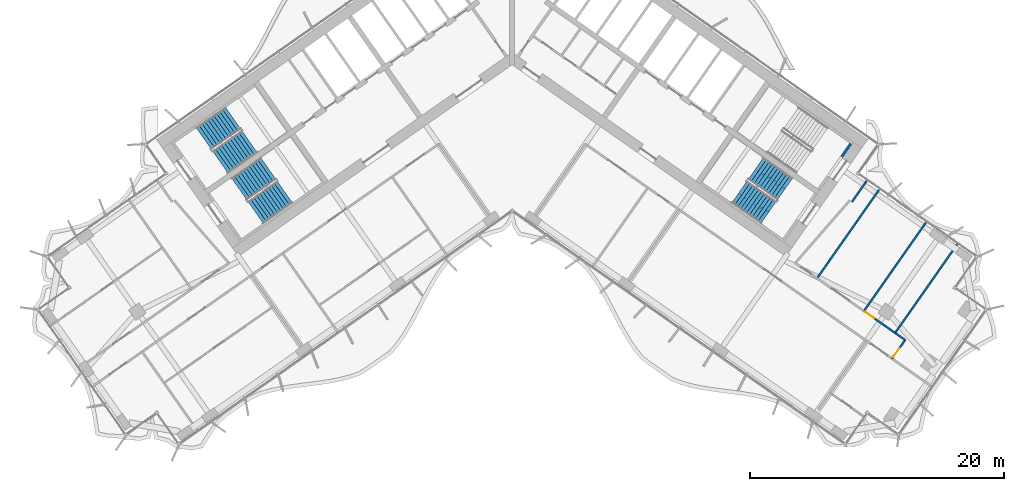
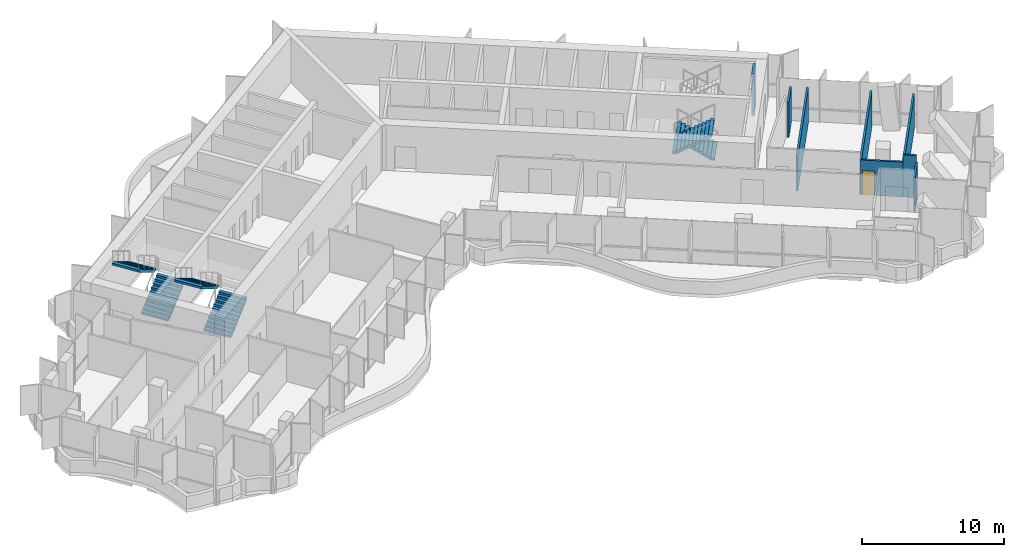
# One storey, part 17 of 23: 8 walls, 6 stair flights, 2 doors, 2 openings, 3 elements without a shape of their own.
"""IFC4 building model written with IfcOpenShell, lengths in metres."""

from ifc_helpers import new_model, si_unit, direction, frame, frame_2d, origin, place, context, subcontext, project, spatial, polyline, rectangle, outline, extrude, material, layer, layer_set, type_object, element, fill, aggregate, save


model = new_model("IFC4")

# Units and contexts
model_context = context("Model", 3, precision=1e-05, world=origin(), true_north=direction((0.0, 1.0)))
body_context = subcontext(model_context, "Body", "Model", "MODEL_VIEW")
ifc_project = project(units=[si_unit("LENGTHUNIT", "METRE"), si_unit("AREAUNIT", "SQUARE_METRE"), si_unit("VOLUMEUNIT", "CUBIC_METRE"), si_unit("PLANEANGLEUNIT", "RADIAN"), si_unit("MASSUNIT", "GRAM", prefix="KILO")], contexts=[model_context])

# Site, building, storey
site_placement = place(None, origin())
site = spatial("IfcSite", under=ifc_project, at=site_placement, CompositionType="ELEMENT")
building_placement = place(site_placement, origin())
building = spatial("IfcBuilding", under=site, at=building_placement, Name="Tel Ilan Convention Tower", CompositionType="ELEMENT")
storey_placement = place(building_placement, frame((0.0, 0.0, 186.60009765625)))
storey = spatial("IfcBuildingStorey", under=building, at=storey_placement, Name="L43", CompositionType="ELEMENT", Elevation=186.60009765625)

# Wall, opening, door
ifc_material_1 = material(Name="Plasterboard on Steel Studs", Category="steel")
ifc_layer_1 = layer(ifc_material_1, 0.14990234375)
ifc_layer_set_1 = layer_set([ifc_layer_1], Name="Fire-rated Partition 150 EI 60")
wall_type_1 = type_object("IfcWallType", Name="Fire-rated Partition 150 EI 60", PredefinedType="PARTITIONING", material=ifc_layer_set_1)
wall_1_placement = place(storey_placement, frame((27.685546875, -20.6064453125, 0.0), z_axis=(0.0, 0.0, 1.0), x_axis=(0.81916700466, -0.573555070134, 0.0)))
wall_1 = element("IfcWall", 1, at=wall_1_placement, inside=storey, type_object=wall_type_1, Name="Partition 003", PredefinedType="PARTITIONING", context=body_context, shape_type="SweptSolid", body=[
    extrude(rectangle(XDim=3.00390625, YDim=0.14990234375, at=frame_2d((1.501953125, 0.0))), origin(), (0.0, 0.0, 1.0), 3.0),
])
opening_1_placement = place(wall_1_placement, frame((0.14990234375, 0.0, 0.0)))
opening_1 = element("IfcOpeningElement", 2, at=opening_1_placement, cuts=wall_1, Name="Opening L43-018", PredefinedType="OPENING", context=body_context, shape_type="SweptSolid", body=[
    extrude(rectangle(XDim=0.85009765625, YDim=2.10009765625, at=frame_2d((0.425048828125, 1.050048828125))), frame((0.0, 0.0849609375, 0.0), z_axis=(0.0, -1.0, 0.0), x_axis=(1.0, 0.0, 0.0)), (0.0, 0.0, 1.0), 0.169921875),
])
ifc_material_2 = material(Name="Timber Door Leaf in Steel Frame", Category="steel")
door_type = type_object("IfcDoorType", Name="Room Fire Door 850x2100", OperationType="NOTDEFINED", PredefinedType="DOOR", material=ifc_material_2)
door_1_placement = place(opening_1_placement, origin())
door_1 = element("IfcDoor", 3, at=door_1_placement, inside=storey, type_object=door_type, Name="Door L43-018", OperationType="SINGLE_SWING_RIGHT", OverallHeight=2.10009765625, OverallWidth=0.85009765625, PredefinedType="DOOR", context=body_context, shape_type="SweptSolid", body=[
    extrude(rectangle(XDim=0.85009765625, YDim=2.10009765625, at=frame_2d((0.425048828125, 1.050048828125))), frame((0.0, 0.02490234375, 0.0), z_axis=(0.0, -1.0, 0.0), x_axis=(1.0, 0.0, 0.0)), (0.0, 0.0, 1.0), 0.050048828125),
])
fill(opening_1, door_1)

# Wall
wall_2_placement = place(storey_placement, frame((30.14306640625, -22.3271484375, 0.0), z_axis=(0.0, 0.0, 1.0), x_axis=(0.819089109609, -0.573666305895, 0.0)))
element("IfcWall", 4, at=wall_2_placement, inside=storey, type_object=wall_type_1, Name="Partition 004", PredefinedType="PARTITIONING", context=body_context, shape_type="SweptSolid", body=[
    extrude(rectangle(XDim=0.9638671875, YDim=0.14990234375, at=frame_2d((0.48193359375, 0.0))), origin(), (0.0, 0.0, 1.0), 3.619873046875),
])

# Wall, opening, door
wall_3_placement = place(storey_placement, frame((29.900390625, -24.3544921875, 0.0), z_axis=(0.0, 0.0, 1.0), x_axis=(0.57352607058, 0.819187308474, 0.0)))
wall_3 = element("IfcWall", 5, at=wall_3_placement, inside=storey, type_object=wall_type_1, Name="Partition 005", PredefinedType="PARTITIONING", context=body_context, shape_type="SweptSolid", body=[
    extrude(rectangle(XDim=1.7998046875, YDim=0.14990234375, at=frame_2d((0.89990234375, 0.0))), origin(), (0.0, 0.0, 1.0), 3.0),
])
opening_2_placement = place(wall_3_placement, frame((0.14990234375, 0.0, 0.0)))
opening_2 = element("IfcOpeningElement", 6, at=opening_2_placement, cuts=wall_3, Name="Opening L43-019", PredefinedType="OPENING", context=body_context, shape_type="SweptSolid", body=[
    extrude(rectangle(XDim=0.85009765625, YDim=2.10009765625, at=frame_2d((0.425048828125, 1.050048828125))), frame((0.0, 0.0849609375, 0.0), z_axis=(0.0, -1.0, 0.0), x_axis=(1.0, 0.0, 0.0)), (0.0, 0.0, 1.0), 0.169921875),
])
door_2_placement = place(opening_2_placement, origin())
door_2 = element("IfcDoor", 7, at=door_2_placement, inside=storey, type_object=door_type, Name="Door L43-019", OperationType="SINGLE_SWING_RIGHT", OverallHeight=2.10009765625, OverallWidth=0.85009765625, PredefinedType="DOOR", context=body_context, shape_type="SweptSolid", body=[
    extrude(rectangle(XDim=0.85009765625, YDim=2.10009765625, at=frame_2d((0.425048828125, 1.050048828125))), frame((0.0, 0.02490234375, 0.0), z_axis=(0.0, -1.0, 0.0), x_axis=(1.0, 0.0, 0.0)), (0.0, 0.0, 1.0), 0.050048828125),
])
fill(opening_2, door_2)

# Walls
wall_4_placement = place(storey_placement, frame((28.87646484375, -11.063720703125, 0.0), z_axis=(0.0, 0.0, 1.0), x_axis=(-0.573591492816, -0.819141501433, 0.0)))
element("IfcWall", 8, at=wall_4_placement, inside=storey, type_object=wall_type_1, Name="Partition 017", PredefinedType="PARTITIONING", context=body_context, shape_type="SweptSolid", body=[
    extrude(rectangle(XDim=8.5, YDim=0.14990234375, at=frame_2d((4.25, 0.0))), origin(), (0.0, 0.0, 1.0), 3.0),
])
wall_5_placement = place(storey_placement, frame((26.74609375, -12.013671875, 0.0), z_axis=(0.0, 0.0, 1.0), x_axis=(0.573568836472, 0.819157365729, 0.0)))
element("IfcWall", 9, at=wall_5_placement, inside=storey, type_object=wall_type_1, Name="Partition 019", PredefinedType="PARTITIONING", context=body_context, shape_type="SweptSolid", body=[
    extrude(rectangle(XDim=2.000244140625, YDim=0.14990234375, at=frame_2d((1.0, 0.0))), origin(), (0.0, 0.0, 1.0), 3.0),
])
wall_6_placement = place(storey_placement, frame((32.5625, -13.644775390625, 0.0), z_axis=(0.0, 0.0, 1.0), x_axis=(-0.573572219642, -0.819154996844, 0.0)))
element("IfcWall", 10, at=wall_6_placement, inside=storey, type_object=wall_type_1, Name="Partition 020", PredefinedType="PARTITIONING", context=body_context, shape_type="SweptSolid", body=[
    extrude(rectangle(XDim=8.499755859375, YDim=0.14990234375, at=frame_2d((4.25, 0.0))), origin(), (0.0, 0.0, 1.0), 3.0),
])
wall_7_placement = place(storey_placement, frame((35.02001953125, -15.365478515625, 0.0), z_axis=(0.0, 0.0, 1.0), x_axis=(-0.57357799764, -0.819150951061, 0.0)))
element("IfcWall", 11, at=wall_7_placement, inside=storey, type_object=wall_type_1, Name="Partition 021", PredefinedType="PARTITIONING", context=body_context, shape_type="SweptSolid", body=[
    extrude(rectangle(XDim=8.500244140625, YDim=0.14990234375, at=frame_2d((4.25, 0.0))), origin(), (0.0, 0.0, 1.0), 2.89990234375),
])
ifc_material_3 = material(Name="Concrete C30/37", Category="concrete")
ifc_layer_2 = layer(ifc_material_3, 0.199951171875)
ifc_layer_set_2 = layer_set([ifc_layer_2], Name="Stair and Shaft Lining Wall 200 mm C30/37")
wall_type_2 = type_object("IfcWallType", Name="Stair and Shaft Lining Wall 200 mm C30/37", PredefinedType="SOLIDWALL", material=ifc_layer_set_2)
wall_8_placement = place(storey_placement, frame((25.939697265625, -8.4580078125, 0.0), z_axis=(0.0, 0.0, 1.0), x_axis=(0.573619628835, 0.819121798889, 0.0)))
element("IfcWall", 12, at=wall_8_placement, inside=storey, type_object=wall_type_2, Name="L43 core wall lining-S3-u1-1", PredefinedType="SOLIDWALL", context=body_context, shape_type="SweptSolid", body=[
    extrude(rectangle(XDim=1.25, YDim=0.199951171875, at=frame_2d((0.625, 0.0))), origin(), (0.0, 0.0, 1.0), 3.619873046875),
])

# Stair, stair flights
ifc_material_4 = material(Name="Concrete C40/50", Category="concrete")
stair_type = type_object("IfcStairType", Name="Pressurised Exit Stair 22 risers 177 mm", PredefinedType="HALF_TURN_STAIR", material=ifc_material_4)
stair_1_placement = place(storey_placement, origin())
stair_1 = element("IfcStair", 13, at=stair_1_placement, inside=storey, type_object=stair_type, Name="L43 Pressurised Stair S1", PredefinedType="HALF_TURN_STAIR")
ifc_material_5 = material(Name="Precast Concrete C40/50", Category="concrete")
stair_flight_type = type_object("IfcStairFlightType", Name="Concrete Stair Flight 2100 mm 22 risers 177 mm", PredefinedType="STRAIGHT", material=ifc_material_5)
stair_flight_1_placement = place(storey_placement, frame((-22.9619140625, -8.87548828125, 0.0), z_axis=(0.0, 0.0, 1.0), x_axis=(0.819152044289, 0.573576436351, 0.0)))
stair_flight_1 = element("IfcStairFlight", 14, at=stair_flight_1_placement, type_object=stair_flight_type, Name="S1 flight 1", NumberOfRisers=11, NumberOfTreads=10, PredefinedType="STRAIGHT", RiserHeight=0.177272727, TreadLength=0.28, context=body_context, shape_type="SweptSolid", body=[
    extrude(outline(polyline([(0.0, 0.0), (0.0, 0.17724609375), (0.280029296875, 0.17724609375), (0.280029296875, 0.3544921875), (0.56005859375, 0.3544921875), (0.56005859375, 0.53173828125), (0.840087890625, 0.53173828125), (0.840087890625, 0.708984375), (1.1201171875, 0.708984375), (1.1201171875, 0.886474609375), (1.39990234375, 0.886474609375), (1.39990234375, 1.063720703125), (1.679931640625, 1.063720703125), (1.679931640625, 1.240966796875), (1.9599609375, 1.240966796875), (1.9599609375, 1.418212890625), (2.239990234375, 1.418212890625), (2.239990234375, 1.595458984375), (2.52001953125, 1.595458984375), (2.52001953125, 1.772705078125), (2.800048828125, 1.772705078125), (2.800048828125, 1.949951171875), (2.800048828125, 1.59521484375), (0.2802734375, 0.0), (0.0, 0.0)])), frame((0.0, -0.100341796875, 0.0), z_axis=(0.0, -1.0, 0.0), x_axis=(1.0, 0.0, 0.0)), (0.0, 0.0, 1.0), 0.94970703125),
    extrude(outline(polyline([(0.0, 0.0), (0.0, 0.17724609375), (0.280029296875, 0.17724609375), (0.280029296875, 0.3544921875), (0.56005859375, 0.3544921875), (0.56005859375, 0.53173828125), (0.840087890625, 0.53173828125), (0.840087890625, 0.708984375), (1.1201171875, 0.708984375), (1.1201171875, 0.886474609375), (1.39990234375, 0.886474609375), (1.39990234375, 1.063720703125), (1.679931640625, 1.063720703125), (1.679931640625, 1.240966796875), (1.9599609375, 1.240966796875), (1.9599609375, 1.418212890625), (2.239990234375, 1.418212890625), (2.239990234375, 1.595458984375), (2.52001953125, 1.595458984375), (2.52001953125, 1.772705078125), (2.800048828125, 1.772705078125), (2.800048828125, 1.949951171875), (2.800048828125, 1.59521484375), (0.2802734375, 0.0), (0.0, 0.0)])), frame((0.0, -0.000244140625, 0.0), z_axis=(0.0, -1.0, 0.0), x_axis=(1.0, 0.0, 0.0)), (0.0, 0.0, 1.0), 0.099609375),
    extrude(outline(polyline([(0.0, 0.0), (0.0, 0.17724609375), (0.280029296875, 0.17724609375), (0.280029296875, 0.3544921875), (0.56005859375, 0.3544921875), (0.56005859375, 0.53173828125), (0.840087890625, 0.53173828125), (0.840087890625, 0.708984375), (1.1201171875, 0.708984375), (1.1201171875, 0.886474609375), (1.39990234375, 0.886474609375), (1.39990234375, 1.063720703125), (1.679931640625, 1.063720703125), (1.679931640625, 1.240966796875), (1.9599609375, 1.240966796875), (1.9599609375, 1.418212890625), (2.239990234375, 1.418212890625), (2.239990234375, 1.595458984375), (2.52001953125, 1.595458984375), (2.52001953125, 1.772705078125), (2.800048828125, 1.772705078125), (2.800048828125, 1.949951171875), (2.800048828125, 1.59521484375), (0.2802734375, 0.0), (0.0, 0.0)])), frame((0.0, 0.099853515625, 0.0), z_axis=(0.0, -1.0, 0.0), x_axis=(1.0, 0.0, 0.0)), (0.0, 0.0, 1.0), 0.099609375),
    extrude(outline(polyline([(0.0, 0.0), (0.0, 0.17724609375), (0.280029296875, 0.17724609375), (0.280029296875, 0.3544921875), (0.56005859375, 0.3544921875), (0.56005859375, 0.53173828125), (0.840087890625, 0.53173828125), (0.840087890625, 0.708984375), (1.1201171875, 0.708984375), (1.1201171875, 0.886474609375), (1.39990234375, 0.886474609375), (1.39990234375, 1.063720703125), (1.679931640625, 1.063720703125), (1.679931640625, 1.240966796875), (1.9599609375, 1.240966796875), (1.9599609375, 1.418212890625), (2.239990234375, 1.418212890625), (2.239990234375, 1.595458984375), (2.52001953125, 1.595458984375), (2.52001953125, 1.772705078125), (2.800048828125, 1.772705078125), (2.800048828125, 1.949951171875), (2.800048828125, 1.59521484375), (0.2802734375, 0.0), (0.0, 0.0)])), frame((0.0, 1.050048828125, 0.0), z_axis=(0.0, -1.0, 0.0), x_axis=(1.0, 0.0, 0.0)), (0.0, 0.0, 1.0), 0.94970703125),
])
stair_flight_2_placement = place(storey_placement, frame((-21.958740234375, -5.42626953125, 1.949951171875), z_axis=(0.0, 0.0, 1.0), x_axis=(-0.819152044289, -0.573576436351, 0.0)))
stair_flight_2 = element("IfcStairFlight", 15, at=stair_flight_2_placement, type_object=stair_flight_type, Name="S1 flight 2", NumberOfRisers=11, NumberOfTreads=10, PredefinedType="STRAIGHT", RiserHeight=0.177272727, TreadLength=0.28, context=body_context, shape_type="SweptSolid", body=[
    extrude(outline(polyline([(0.0, 0.0), (0.0, 0.17724609375), (0.280029296875, 0.17724609375), (0.280029296875, 0.3544921875), (0.56005859375, 0.3544921875), (0.56005859375, 0.53173828125), (0.840087890625, 0.53173828125), (0.840087890625, 0.708984375), (1.1201171875, 0.708984375), (1.1201171875, 0.886474609375), (1.39990234375, 0.886474609375), (1.39990234375, 1.063720703125), (1.679931640625, 1.063720703125), (1.679931640625, 1.240966796875), (1.9599609375, 1.240966796875), (1.9599609375, 1.418212890625), (2.239990234375, 1.418212890625), (2.239990234375, 1.595458984375), (2.52001953125, 1.595458984375), (2.52001953125, 1.772705078125), (2.800048828125, 1.772705078125), (2.800048828125, 1.949951171875), (2.800048828125, 1.59521484375), (0.2802734375, 0.0), (0.0, 0.0)])), frame((0.0, -0.100341796875, 0.0), z_axis=(0.0, -1.0, 0.0), x_axis=(1.0, 0.0, 0.0)), (0.0, 0.0, 1.0), 0.94970703125),
    extrude(outline(polyline([(0.0, 0.0), (0.0, 0.17724609375), (0.280029296875, 0.17724609375), (0.280029296875, 0.3544921875), (0.56005859375, 0.3544921875), (0.56005859375, 0.53173828125), (0.840087890625, 0.53173828125), (0.840087890625, 0.708984375), (1.1201171875, 0.708984375), (1.1201171875, 0.886474609375), (1.39990234375, 0.886474609375), (1.39990234375, 1.063720703125), (1.679931640625, 1.063720703125), (1.679931640625, 1.240966796875), (1.9599609375, 1.240966796875), (1.9599609375, 1.418212890625), (2.239990234375, 1.418212890625), (2.239990234375, 1.595458984375), (2.52001953125, 1.595458984375), (2.52001953125, 1.772705078125), (2.800048828125, 1.772705078125), (2.800048828125, 1.949951171875), (2.800048828125, 1.59521484375), (0.2802734375, 0.0), (0.0, 0.0)])), frame((0.0, -0.000244140625, 0.0), z_axis=(0.0, -1.0, 0.0), x_axis=(1.0, 0.0, 0.0)), (0.0, 0.0, 1.0), 0.099609375),
    extrude(outline(polyline([(0.0, 0.0), (0.0, 0.17724609375), (0.280029296875, 0.17724609375), (0.280029296875, 0.3544921875), (0.56005859375, 0.3544921875), (0.56005859375, 0.53173828125), (0.840087890625, 0.53173828125), (0.840087890625, 0.708984375), (1.1201171875, 0.708984375), (1.1201171875, 0.886474609375), (1.39990234375, 0.886474609375), (1.39990234375, 1.063720703125), (1.679931640625, 1.063720703125), (1.679931640625, 1.240966796875), (1.9599609375, 1.240966796875), (1.9599609375, 1.418212890625), (2.239990234375, 1.418212890625), (2.239990234375, 1.595458984375), (2.52001953125, 1.595458984375), (2.52001953125, 1.772705078125), (2.800048828125, 1.772705078125), (2.800048828125, 1.949951171875), (2.800048828125, 1.59521484375), (0.2802734375, 0.0), (0.0, 0.0)])), frame((0.0, 0.099853515625, 0.0), z_axis=(0.0, -1.0, 0.0), x_axis=(1.0, 0.0, 0.0)), (0.0, 0.0, 1.0), 0.099609375),
    extrude(outline(polyline([(0.0, 0.0), (0.0, 0.17724609375), (0.280029296875, 0.17724609375), (0.280029296875, 0.3544921875), (0.56005859375, 0.3544921875), (0.56005859375, 0.53173828125), (0.840087890625, 0.53173828125), (0.840087890625, 0.708984375), (1.1201171875, 0.708984375), (1.1201171875, 0.886474609375), (1.39990234375, 0.886474609375), (1.39990234375, 1.063720703125), (1.679931640625, 1.063720703125), (1.679931640625, 1.240966796875), (1.9599609375, 1.240966796875), (1.9599609375, 1.418212890625), (2.239990234375, 1.418212890625), (2.239990234375, 1.595458984375), (2.52001953125, 1.595458984375), (2.52001953125, 1.772705078125), (2.800048828125, 1.772705078125), (2.800048828125, 1.949951171875), (2.800048828125, 1.59521484375), (0.2802734375, 0.0), (0.0, 0.0)])), frame((0.0, 1.050048828125, 0.0), z_axis=(0.0, -1.0, 0.0), x_axis=(1.0, 0.0, 0.0)), (0.0, 0.0, 1.0), 0.94970703125),
])
aggregate(stair_1, [stair_flight_1, stair_flight_2])

stair_2_placement = place(storey_placement, origin())
stair_2 = element("IfcStair", 16, at=stair_2_placement, inside=storey, type_object=stair_type, Name="L43 Pressurised Stair S2", PredefinedType="HALF_TURN_STAIR")
stair_flight_3_placement = place(storey_placement, frame((-20.179931640625, -12.848388671875, 0.0), z_axis=(0.0, 0.0, 1.0), x_axis=(0.819152044289, 0.573576436351, 0.0)))
stair_flight_3 = element("IfcStairFlight", 17, at=stair_flight_3_placement, type_object=stair_flight_type, Name="S2 flight 1", NumberOfRisers=11, NumberOfTreads=10, PredefinedType="STRAIGHT", RiserHeight=0.177272727, TreadLength=0.28, context=body_context, shape_type="SweptSolid", body=[
    extrude(outline(polyline([(0.0, 0.0), (0.0, 0.17724609375), (0.280029296875, 0.17724609375), (0.280029296875, 0.3544921875), (0.56005859375, 0.3544921875), (0.56005859375, 0.53173828125), (0.840087890625, 0.53173828125), (0.840087890625, 0.708984375), (1.1201171875, 0.708984375), (1.1201171875, 0.886474609375), (1.39990234375, 0.886474609375), (1.39990234375, 1.063720703125), (1.679931640625, 1.063720703125), (1.679931640625, 1.240966796875), (1.9599609375, 1.240966796875), (1.9599609375, 1.418212890625), (2.239990234375, 1.418212890625), (2.239990234375, 1.595458984375), (2.52001953125, 1.595458984375), (2.52001953125, 1.772705078125), (2.800048828125, 1.772705078125), (2.800048828125, 1.949951171875), (2.800048828125, 1.59521484375), (0.2802734375, 0.0), (0.0, 0.0)])), frame((0.0, -0.100341796875, 0.0), z_axis=(0.0, -1.0, 0.0), x_axis=(1.0, 0.0, 0.0)), (0.0, 0.0, 1.0), 0.94970703125),
    extrude(outline(polyline([(0.0, 0.0), (0.0, 0.17724609375), (0.280029296875, 0.17724609375), (0.280029296875, 0.3544921875), (0.56005859375, 0.3544921875), (0.56005859375, 0.53173828125), (0.840087890625, 0.53173828125), (0.840087890625, 0.708984375), (1.1201171875, 0.708984375), (1.1201171875, 0.886474609375), (1.39990234375, 0.886474609375), (1.39990234375, 1.063720703125), (1.679931640625, 1.063720703125), (1.679931640625, 1.240966796875), (1.9599609375, 1.240966796875), (1.9599609375, 1.418212890625), (2.239990234375, 1.418212890625), (2.239990234375, 1.595458984375), (2.52001953125, 1.595458984375), (2.52001953125, 1.772705078125), (2.800048828125, 1.772705078125), (2.800048828125, 1.949951171875), (2.800048828125, 1.59521484375), (0.2802734375, 0.0), (0.0, 0.0)])), frame((0.0, -0.000244140625, 0.0), z_axis=(0.0, -1.0, 0.0), x_axis=(1.0, 0.0, 0.0)), (0.0, 0.0, 1.0), 0.099609375),
    extrude(outline(polyline([(0.0, 0.0), (0.0, 0.17724609375), (0.280029296875, 0.17724609375), (0.280029296875, 0.3544921875), (0.56005859375, 0.3544921875), (0.56005859375, 0.53173828125), (0.840087890625, 0.53173828125), (0.840087890625, 0.708984375), (1.1201171875, 0.708984375), (1.1201171875, 0.886474609375), (1.39990234375, 0.886474609375), (1.39990234375, 1.063720703125), (1.679931640625, 1.063720703125), (1.679931640625, 1.240966796875), (1.9599609375, 1.240966796875), (1.9599609375, 1.418212890625), (2.239990234375, 1.418212890625), (2.239990234375, 1.595458984375), (2.52001953125, 1.595458984375), (2.52001953125, 1.772705078125), (2.800048828125, 1.772705078125), (2.800048828125, 1.949951171875), (2.800048828125, 1.59521484375), (0.2802734375, 0.0), (0.0, 0.0)])), frame((0.0, 0.099853515625, 0.0), z_axis=(0.0, -1.0, 0.0), x_axis=(1.0, 0.0, 0.0)), (0.0, 0.0, 1.0), 0.099609375),
    extrude(outline(polyline([(0.0, 0.0), (0.0, 0.17724609375), (0.280029296875, 0.17724609375), (0.280029296875, 0.3544921875), (0.56005859375, 0.3544921875), (0.56005859375, 0.53173828125), (0.840087890625, 0.53173828125), (0.840087890625, 0.708984375), (1.1201171875, 0.708984375), (1.1201171875, 0.886474609375), (1.39990234375, 0.886474609375), (1.39990234375, 1.063720703125), (1.679931640625, 1.063720703125), (1.679931640625, 1.240966796875), (1.9599609375, 1.240966796875), (1.9599609375, 1.418212890625), (2.239990234375, 1.418212890625), (2.239990234375, 1.595458984375), (2.52001953125, 1.595458984375), (2.52001953125, 1.772705078125), (2.800048828125, 1.772705078125), (2.800048828125, 1.949951171875), (2.800048828125, 1.59521484375), (0.2802734375, 0.0), (0.0, 0.0)])), frame((0.0, 1.050048828125, 0.0), z_axis=(0.0, -1.0, 0.0), x_axis=(1.0, 0.0, 0.0)), (0.0, 0.0, 1.0), 0.94970703125),
])
stair_flight_4_placement = place(storey_placement, frame((-19.177001953125, -9.399169921875, 1.949951171875), z_axis=(0.0, 0.0, 1.0), x_axis=(-0.819152044289, -0.573576436351, 0.0)))
stair_flight_4 = element("IfcStairFlight", 18, at=stair_flight_4_placement, type_object=stair_flight_type, Name="S2 flight 2", NumberOfRisers=11, NumberOfTreads=10, PredefinedType="STRAIGHT", RiserHeight=0.177272727, TreadLength=0.28, context=body_context, shape_type="SweptSolid", body=[
    extrude(outline(polyline([(0.0, 0.0), (0.0, 0.17724609375), (0.280029296875, 0.17724609375), (0.280029296875, 0.3544921875), (0.56005859375, 0.3544921875), (0.56005859375, 0.53173828125), (0.840087890625, 0.53173828125), (0.840087890625, 0.708984375), (1.1201171875, 0.708984375), (1.1201171875, 0.886474609375), (1.39990234375, 0.886474609375), (1.39990234375, 1.063720703125), (1.679931640625, 1.063720703125), (1.679931640625, 1.240966796875), (1.9599609375, 1.240966796875), (1.9599609375, 1.418212890625), (2.239990234375, 1.418212890625), (2.239990234375, 1.595458984375), (2.52001953125, 1.595458984375), (2.52001953125, 1.772705078125), (2.800048828125, 1.772705078125), (2.800048828125, 1.949951171875), (2.800048828125, 1.59521484375), (0.2802734375, 0.0), (0.0, 0.0)])), frame((0.0, -0.100341796875, 0.0), z_axis=(0.0, -1.0, 0.0), x_axis=(1.0, 0.0, 0.0)), (0.0, 0.0, 1.0), 0.94970703125),
    extrude(outline(polyline([(0.0, 0.0), (0.0, 0.17724609375), (0.280029296875, 0.17724609375), (0.280029296875, 0.3544921875), (0.56005859375, 0.3544921875), (0.56005859375, 0.53173828125), (0.840087890625, 0.53173828125), (0.840087890625, 0.708984375), (1.1201171875, 0.708984375), (1.1201171875, 0.886474609375), (1.39990234375, 0.886474609375), (1.39990234375, 1.063720703125), (1.679931640625, 1.063720703125), (1.679931640625, 1.240966796875), (1.9599609375, 1.240966796875), (1.9599609375, 1.418212890625), (2.239990234375, 1.418212890625), (2.239990234375, 1.595458984375), (2.52001953125, 1.595458984375), (2.52001953125, 1.772705078125), (2.800048828125, 1.772705078125), (2.800048828125, 1.949951171875), (2.800048828125, 1.59521484375), (0.2802734375, 0.0), (0.0, 0.0)])), frame((0.0, -0.000244140625, 0.0), z_axis=(0.0, -1.0, 0.0), x_axis=(1.0, 0.0, 0.0)), (0.0, 0.0, 1.0), 0.099609375),
    extrude(outline(polyline([(0.0, 0.0), (0.0, 0.17724609375), (0.280029296875, 0.17724609375), (0.280029296875, 0.3544921875), (0.56005859375, 0.3544921875), (0.56005859375, 0.53173828125), (0.840087890625, 0.53173828125), (0.840087890625, 0.708984375), (1.1201171875, 0.708984375), (1.1201171875, 0.886474609375), (1.39990234375, 0.886474609375), (1.39990234375, 1.063720703125), (1.679931640625, 1.063720703125), (1.679931640625, 1.240966796875), (1.9599609375, 1.240966796875), (1.9599609375, 1.418212890625), (2.239990234375, 1.418212890625), (2.239990234375, 1.595458984375), (2.52001953125, 1.595458984375), (2.52001953125, 1.772705078125), (2.800048828125, 1.772705078125), (2.800048828125, 1.949951171875), (2.800048828125, 1.59521484375), (0.2802734375, 0.0), (0.0, 0.0)])), frame((0.0, 0.099853515625, 0.0), z_axis=(0.0, -1.0, 0.0), x_axis=(1.0, 0.0, 0.0)), (0.0, 0.0, 1.0), 0.099609375),
    extrude(outline(polyline([(0.0, 0.0), (0.0, 0.17724609375), (0.280029296875, 0.17724609375), (0.280029296875, 0.3544921875), (0.56005859375, 0.3544921875), (0.56005859375, 0.53173828125), (0.840087890625, 0.53173828125), (0.840087890625, 0.708984375), (1.1201171875, 0.708984375), (1.1201171875, 0.886474609375), (1.39990234375, 0.886474609375), (1.39990234375, 1.063720703125), (1.679931640625, 1.063720703125), (1.679931640625, 1.240966796875), (1.9599609375, 1.240966796875), (1.9599609375, 1.418212890625), (2.239990234375, 1.418212890625), (2.239990234375, 1.595458984375), (2.52001953125, 1.595458984375), (2.52001953125, 1.772705078125), (2.800048828125, 1.772705078125), (2.800048828125, 1.949951171875), (2.800048828125, 1.59521484375), (0.2802734375, 0.0), (0.0, 0.0)])), frame((0.0, 1.050048828125, 0.0), z_axis=(0.0, -1.0, 0.0), x_axis=(1.0, 0.0, 0.0)), (0.0, 0.0, 1.0), 0.94970703125),
])
aggregate(stair_2, [stair_flight_3, stair_flight_4])

stair_3_placement = place(storey_placement, origin())
stair_3 = element("IfcStair", 19, at=stair_3_placement, inside=storey, type_object=stair_type, Name="L43 Pressurised Stair S4", PredefinedType="HALF_TURN_STAIR")
stair_flight_5_placement = place(storey_placement, frame((21.470458984375, -11.00537109375, 0.0), z_axis=(0.0, 0.0, 1.0), x_axis=(-0.819152044289, 0.573576436351, 0.0)))
stair_flight_5 = element("IfcStairFlight", 20, at=stair_flight_5_placement, type_object=stair_flight_type, Name="S4 flight 1", NumberOfRisers=11, NumberOfTreads=10, PredefinedType="STRAIGHT", RiserHeight=0.177272727, TreadLength=0.28, context=body_context, shape_type="SweptSolid", body=[
    extrude(outline(polyline([(0.0, 0.0), (0.0, 0.17724609375), (0.280029296875, 0.17724609375), (0.280029296875, 0.3544921875), (0.56005859375, 0.3544921875), (0.56005859375, 0.53173828125), (0.840087890625, 0.53173828125), (0.840087890625, 0.708984375), (1.1201171875, 0.708984375), (1.1201171875, 0.886474609375), (1.39990234375, 0.886474609375), (1.39990234375, 1.063720703125), (1.679931640625, 1.063720703125), (1.679931640625, 1.240966796875), (1.9599609375, 1.240966796875), (1.9599609375, 1.418212890625), (2.239990234375, 1.418212890625), (2.239990234375, 1.595458984375), (2.52001953125, 1.595458984375), (2.52001953125, 1.772705078125), (2.800048828125, 1.772705078125), (2.800048828125, 1.949951171875), (2.800048828125, 1.59521484375), (0.2802734375, 0.0), (0.0, 0.0)])), frame((0.0, -0.100341796875, 0.0), z_axis=(0.0, -1.0, 0.0), x_axis=(1.0, 0.0, 0.0)), (0.0, 0.0, 1.0), 0.94970703125),
    extrude(outline(polyline([(0.0, 0.0), (0.0, 0.17724609375), (0.280029296875, 0.17724609375), (0.280029296875, 0.3544921875), (0.56005859375, 0.3544921875), (0.56005859375, 0.53173828125), (0.840087890625, 0.53173828125), (0.840087890625, 0.708984375), (1.1201171875, 0.708984375), (1.1201171875, 0.886474609375), (1.39990234375, 0.886474609375), (1.39990234375, 1.063720703125), (1.679931640625, 1.063720703125), (1.679931640625, 1.240966796875), (1.9599609375, 1.240966796875), (1.9599609375, 1.418212890625), (2.239990234375, 1.418212890625), (2.239990234375, 1.595458984375), (2.52001953125, 1.595458984375), (2.52001953125, 1.772705078125), (2.800048828125, 1.772705078125), (2.800048828125, 1.949951171875), (2.800048828125, 1.59521484375), (0.2802734375, 0.0), (0.0, 0.0)])), frame((0.0, -0.000244140625, 0.0), z_axis=(0.0, -1.0, 0.0), x_axis=(1.0, 0.0, 0.0)), (0.0, 0.0, 1.0), 0.099609375),
    extrude(outline(polyline([(0.0, 0.0), (0.0, 0.17724609375), (0.280029296875, 0.17724609375), (0.280029296875, 0.3544921875), (0.56005859375, 0.3544921875), (0.56005859375, 0.53173828125), (0.840087890625, 0.53173828125), (0.840087890625, 0.708984375), (1.1201171875, 0.708984375), (1.1201171875, 0.886474609375), (1.39990234375, 0.886474609375), (1.39990234375, 1.063720703125), (1.679931640625, 1.063720703125), (1.679931640625, 1.240966796875), (1.9599609375, 1.240966796875), (1.9599609375, 1.418212890625), (2.239990234375, 1.418212890625), (2.239990234375, 1.595458984375), (2.52001953125, 1.595458984375), (2.52001953125, 1.772705078125), (2.800048828125, 1.772705078125), (2.800048828125, 1.949951171875), (2.800048828125, 1.59521484375), (0.2802734375, 0.0), (0.0, 0.0)])), frame((0.0, 0.099853515625, 0.0), z_axis=(0.0, -1.0, 0.0), x_axis=(1.0, 0.0, 0.0)), (0.0, 0.0, 1.0), 0.099609375),
    extrude(outline(polyline([(0.0, 0.0), (0.0, 0.17724609375), (0.280029296875, 0.17724609375), (0.280029296875, 0.3544921875), (0.56005859375, 0.3544921875), (0.56005859375, 0.53173828125), (0.840087890625, 0.53173828125), (0.840087890625, 0.708984375), (1.1201171875, 0.708984375), (1.1201171875, 0.886474609375), (1.39990234375, 0.886474609375), (1.39990234375, 1.063720703125), (1.679931640625, 1.063720703125), (1.679931640625, 1.240966796875), (1.9599609375, 1.240966796875), (1.9599609375, 1.418212890625), (2.239990234375, 1.418212890625), (2.239990234375, 1.595458984375), (2.52001953125, 1.595458984375), (2.52001953125, 1.772705078125), (2.800048828125, 1.772705078125), (2.800048828125, 1.949951171875), (2.800048828125, 1.59521484375), (0.2802734375, 0.0), (0.0, 0.0)])), frame((0.0, 1.050048828125, 0.0), z_axis=(0.0, -1.0, 0.0), x_axis=(1.0, 0.0, 0.0)), (0.0, 0.0, 1.0), 0.94970703125),
])
stair_flight_6_placement = place(storey_placement, frame((17.886474609375, -11.242431640625, 1.949951171875), z_axis=(0.0, 0.0, 1.0), x_axis=(0.819152044289, -0.573576436351, 0.0)))
stair_flight_6 = element("IfcStairFlight", 21, at=stair_flight_6_placement, type_object=stair_flight_type, Name="S4 flight 2", NumberOfRisers=11, NumberOfTreads=10, PredefinedType="STRAIGHT", RiserHeight=0.177272727, TreadLength=0.28, context=body_context, shape_type="SweptSolid", body=[
    extrude(outline(polyline([(0.0, 0.0), (0.0, 0.17724609375), (0.280029296875, 0.17724609375), (0.280029296875, 0.3544921875), (0.56005859375, 0.3544921875), (0.56005859375, 0.53173828125), (0.840087890625, 0.53173828125), (0.840087890625, 0.708984375), (1.1201171875, 0.708984375), (1.1201171875, 0.886474609375), (1.39990234375, 0.886474609375), (1.39990234375, 1.063720703125), (1.679931640625, 1.063720703125), (1.679931640625, 1.240966796875), (1.9599609375, 1.240966796875), (1.9599609375, 1.418212890625), (2.239990234375, 1.418212890625), (2.239990234375, 1.595458984375), (2.52001953125, 1.595458984375), (2.52001953125, 1.772705078125), (2.800048828125, 1.772705078125), (2.800048828125, 1.949951171875), (2.800048828125, 1.59521484375), (0.2802734375, 0.0), (0.0, 0.0)])), frame((0.0, -0.100341796875, 0.0), z_axis=(0.0, -1.0, 0.0), x_axis=(1.0, 0.0, 0.0)), (0.0, 0.0, 1.0), 0.94970703125),
    extrude(outline(polyline([(0.0, 0.0), (0.0, 0.17724609375), (0.280029296875, 0.17724609375), (0.280029296875, 0.3544921875), (0.56005859375, 0.3544921875), (0.56005859375, 0.53173828125), (0.840087890625, 0.53173828125), (0.840087890625, 0.708984375), (1.1201171875, 0.708984375), (1.1201171875, 0.886474609375), (1.39990234375, 0.886474609375), (1.39990234375, 1.063720703125), (1.679931640625, 1.063720703125), (1.679931640625, 1.240966796875), (1.9599609375, 1.240966796875), (1.9599609375, 1.418212890625), (2.239990234375, 1.418212890625), (2.239990234375, 1.595458984375), (2.52001953125, 1.595458984375), (2.52001953125, 1.772705078125), (2.800048828125, 1.772705078125), (2.800048828125, 1.949951171875), (2.800048828125, 1.59521484375), (0.2802734375, 0.0), (0.0, 0.0)])), frame((0.0, -0.000244140625, 0.0), z_axis=(0.0, -1.0, 0.0), x_axis=(1.0, 0.0, 0.0)), (0.0, 0.0, 1.0), 0.099609375),
    extrude(outline(polyline([(0.0, 0.0), (0.0, 0.17724609375), (0.280029296875, 0.17724609375), (0.280029296875, 0.3544921875), (0.56005859375, 0.3544921875), (0.56005859375, 0.53173828125), (0.840087890625, 0.53173828125), (0.840087890625, 0.708984375), (1.1201171875, 0.708984375), (1.1201171875, 0.886474609375), (1.39990234375, 0.886474609375), (1.39990234375, 1.063720703125), (1.679931640625, 1.063720703125), (1.679931640625, 1.240966796875), (1.9599609375, 1.240966796875), (1.9599609375, 1.418212890625), (2.239990234375, 1.418212890625), (2.239990234375, 1.595458984375), (2.52001953125, 1.595458984375), (2.52001953125, 1.772705078125), (2.800048828125, 1.772705078125), (2.800048828125, 1.949951171875), (2.800048828125, 1.59521484375), (0.2802734375, 0.0), (0.0, 0.0)])), frame((0.0, 0.099853515625, 0.0), z_axis=(0.0, -1.0, 0.0), x_axis=(1.0, 0.0, 0.0)), (0.0, 0.0, 1.0), 0.099609375),
    extrude(outline(polyline([(0.0, 0.0), (0.0, 0.17724609375), (0.280029296875, 0.17724609375), (0.280029296875, 0.3544921875), (0.56005859375, 0.3544921875), (0.56005859375, 0.53173828125), (0.840087890625, 0.53173828125), (0.840087890625, 0.708984375), (1.1201171875, 0.708984375), (1.1201171875, 0.886474609375), (1.39990234375, 0.886474609375), (1.39990234375, 1.063720703125), (1.679931640625, 1.063720703125), (1.679931640625, 1.240966796875), (1.9599609375, 1.240966796875), (1.9599609375, 1.418212890625), (2.239990234375, 1.418212890625), (2.239990234375, 1.595458984375), (2.52001953125, 1.595458984375), (2.52001953125, 1.772705078125), (2.800048828125, 1.772705078125), (2.800048828125, 1.949951171875), (2.800048828125, 1.59521484375), (0.2802734375, 0.0), (0.0, 0.0)])), frame((0.0, 1.050048828125, 0.0), z_axis=(0.0, -1.0, 0.0), x_axis=(1.0, 0.0, 0.0)), (0.0, 0.0, 1.0), 0.94970703125),
])
aggregate(stair_3, [stair_flight_5, stair_flight_6])

save(model, "model.ifc")
